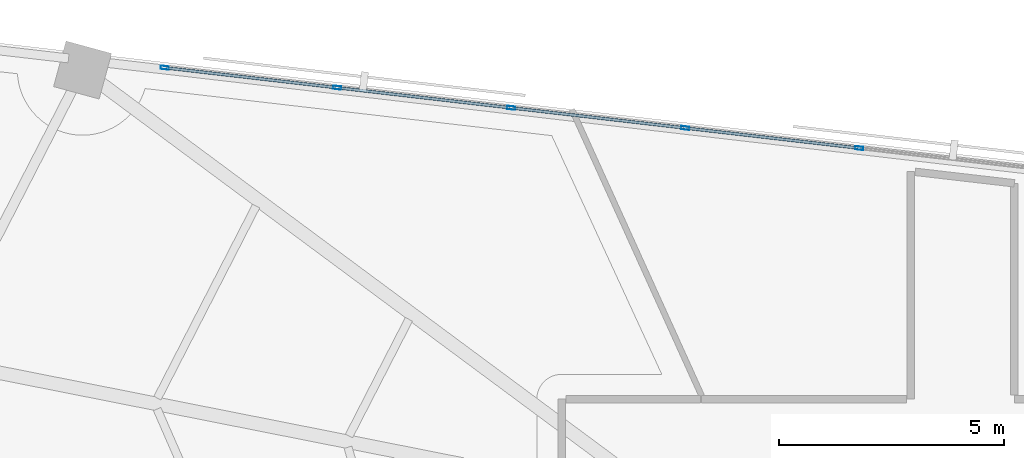
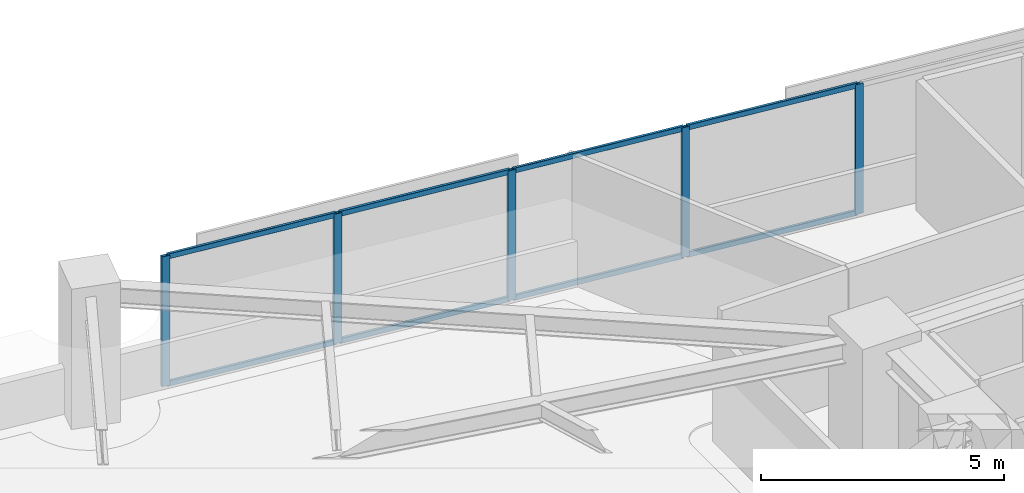
# One storey, part 7 of 13: 13 members, 1 element without a shape of its own.
"""IFC4 building model written with IfcOpenShell, lengths in metres."""

from ifc_helpers import new_model, si_unit, direction, frame, origin, origin_2d, place, context, subcontext, project, spatial, hollow_rectangle, extrude, material, material_profile, profile_set, type_object, element, aggregate, save


model = new_model("IFC4")

# Units and contexts
model_context = context("Model", 3, precision=1e-05, world=origin(), true_north=direction((0.0, 1.0)))
body_context = subcontext(model_context, "Body", "Model", "MODEL_VIEW")
ifc_project = project(units=[si_unit("LENGTHUNIT", "METRE"), si_unit("AREAUNIT", "SQUARE_METRE"), si_unit("VOLUMEUNIT", "CUBIC_METRE"), si_unit("PLANEANGLEUNIT", "RADIAN"), si_unit("MASSUNIT", "GRAM", prefix="KILO")], contexts=[model_context])

# Site, building, storey
site_placement = place(None, origin())
site = spatial("IfcSite", under=ifc_project, at=site_placement, CompositionType="ELEMENT")
building_placement = place(site_placement, origin())
building = spatial("IfcBuilding", under=site, at=building_placement, Name="Narakoshi Arena Tower", CompositionType="ELEMENT")
storey_placement = place(building_placement, frame((0.0, 0.0, 225.5400390625)))
storey = spatial("IfcBuildingStorey", under=building, at=storey_placement, Name="L61", CompositionType="ELEMENT", Elevation=225.5400390625)

# Curtain wall, members
ifc_material = material(Name="Anodised bronze aluminium 6063-T6", Category="aluminium")
curtain_wall_type = type_object("IfcCurtainWallType", Name="CW-HYP-MID", PredefinedType="NOTDEFINED", material=ifc_material)
curtain_wall_placement = place(storey_placement, origin())
curtain_wall = element("IfcCurtainWall", 1, at=curtain_wall_placement, inside=storey, type_object=curtain_wall_type, Name="L61 Folded Hypotenuse Curtain Wall 2-1", PredefinedType="NOTDEFINED")
ifc_material_profile_1 = material_profile(ifc_material, hollow_rectangle(XDim=0.074951171875, YDim=0.179931640625, WallThickness=0.00390625, OuterFilletRadius=0.0048828125, at=origin_2d()), Name="MUL180x75x4")
ifc_profile_set_1 = profile_set([ifc_material_profile_1], Name="Anodised bronze aluminium 6063-T6")
member_type_1 = type_object("IfcMemberType", Name="MEM-MUL-180", PredefinedType="MULLION", material=ifc_profile_set_1)
member_1_placement = place(storey_placement, frame((76.20068359375, 64.446533203125, 0.0), z_axis=(0.0, 0.0, 1.0), x_axis=(-0.115011296816, -0.993364183774, 0.0)))
member_1 = element("IfcMember", 2, at=member_1_placement, type_object=member_type_1, Name="CW-02 mullion 3", PredefinedType="MULLION", context=body_context, shape_type="SweptSolid", body=[
    extrude(hollow_rectangle(XDim=0.074951171875, YDim=0.179931640625, WallThickness=0.00390625, OuterFilletRadius=0.0048828125, at=origin_2d()), origin(), (0.0, 0.0, 1.0), 3.260009765625),
])
member_2_placement = place(storey_placement, frame((72.33154296875, 64.894287109375, 0.0), z_axis=(0.0, 0.0, 1.0), x_axis=(-0.115011296816, -0.993364183774, 0.0)))
member_2 = element("IfcMember", 3, at=member_2_placement, type_object=member_type_1, Name="CW-02 mullion 4", PredefinedType="MULLION", context=body_context, shape_type="SweptSolid", body=[
    extrude(hollow_rectangle(XDim=0.074951171875, YDim=0.179931640625, WallThickness=0.00390625, OuterFilletRadius=0.0048828125, at=origin_2d()), origin(), (0.0, 0.0, 1.0), 3.260009765625),
])
member_3_placement = place(storey_placement, frame((68.46240234375, 65.34228515625, 0.0), z_axis=(0.0, 0.0, 1.0), x_axis=(-0.115011296816, -0.993364183774, 0.0)))
member_3 = element("IfcMember", 4, at=member_3_placement, type_object=member_type_1, Name="CW-02 mullion 5", PredefinedType="MULLION", context=body_context, shape_type="SweptSolid", body=[
    extrude(hollow_rectangle(XDim=0.074951171875, YDim=0.179931640625, WallThickness=0.00390625, OuterFilletRadius=0.0048828125, at=origin_2d()), origin(), (0.0, 0.0, 1.0), 3.260009765625),
])
member_4_placement = place(storey_placement, frame((64.59326171875, 65.790283203125, 0.0), z_axis=(0.0, 0.0, 1.0), x_axis=(-0.115011296816, -0.993364183774, 0.0)))
member_4 = element("IfcMember", 5, at=member_4_placement, type_object=member_type_1, Name="CW-02 mullion 6", PredefinedType="MULLION", context=body_context, shape_type="SweptSolid", body=[
    extrude(hollow_rectangle(XDim=0.074951171875, YDim=0.179931640625, WallThickness=0.00390625, OuterFilletRadius=0.0048828125, at=origin_2d()), origin(), (0.0, 0.0, 1.0), 3.260009765625),
])
member_5_placement = place(storey_placement, frame((60.76123046875, 66.23388671875, 0.0), z_axis=(0.0, 0.0, 1.0), x_axis=(-0.115011296816, -0.993364183774, 0.0)))
member_5 = element("IfcMember", 6, at=member_5_placement, type_object=member_type_1, Name="CW-02 mullion 7", PredefinedType="MULLION", context=body_context, shape_type="SweptSolid", body=[
    extrude(hollow_rectangle(XDim=0.074951171875, YDim=0.179931640625, WallThickness=0.00390625, OuterFilletRadius=0.0048828125, at=origin_2d()), origin(), (0.0, 0.0, 1.0), 3.260009765625),
])
ifc_material_profile_2 = material_profile(ifc_material, hollow_rectangle(XDim=0.06494140625, YDim=0.1298828125, WallThickness=0.00390625, OuterFilletRadius=0.0048828125, at=origin_2d()), Name="TRN130x65x4")
ifc_profile_set_2 = profile_set([ifc_material_profile_2], Name="Anodised bronze aluminium 6063-T6")
member_type_2 = type_object("IfcMemberType", Name="MEM-TRN-130", PredefinedType="USERDEFINED", material=ifc_profile_set_2)
member_6_placement = place(storey_placement, frame((76.163330078125, 64.45068359375, 0.032470703125), z_axis=(-0.993360986362, 0.115038909828, 0.0), x_axis=(-0.115038909828, -0.993360986362, 0.0)))
member_6 = element("IfcMember", 7, at=member_6_placement, type_object=member_type_2, Name="CW-02 transom 3.1", ObjectType="TRANSOM", PredefinedType="USERDEFINED", context=body_context, shape_type="SweptSolid", body=[
    extrude(hollow_rectangle(XDim=0.06494140625, YDim=0.1298828125, WallThickness=0.00390625, OuterFilletRadius=0.0048828125, at=origin_2d()), origin(), (0.0, 0.0, 1.0), 3.820068359375),
])
member_7_placement = place(storey_placement, frame((76.163330078125, 64.45068359375, 3.2275390625), z_axis=(-0.993360986362, 0.115038909828, 0.0), x_axis=(-0.115038909828, -0.993360986362, 0.0)))
member_7 = element("IfcMember", 8, at=member_7_placement, type_object=member_type_2, Name="CW-02 transom 3.2", ObjectType="TRANSOM", PredefinedType="USERDEFINED", context=body_context, shape_type="SweptSolid", body=[
    extrude(hollow_rectangle(XDim=0.06494140625, YDim=0.1298828125, WallThickness=0.00390625, OuterFilletRadius=0.0048828125, at=origin_2d()), origin(), (0.0, 0.0, 1.0), 3.820068359375),
])
member_8_placement = place(storey_placement, frame((72.294189453125, 64.898681640625, 0.032470703125), z_axis=(-0.993360986362, 0.115038909828, 0.0), x_axis=(-0.115038909828, -0.993360986362, 0.0)))
member_8 = element("IfcMember", 9, at=member_8_placement, type_object=member_type_2, Name="CW-02 transom 4.1", ObjectType="TRANSOM", PredefinedType="USERDEFINED", context=body_context, shape_type="SweptSolid", body=[
    extrude(hollow_rectangle(XDim=0.06494140625, YDim=0.1298828125, WallThickness=0.00390625, OuterFilletRadius=0.0048828125, at=origin_2d()), origin(), (0.0, 0.0, 1.0), 3.820068359375),
])
member_9_placement = place(storey_placement, frame((72.294189453125, 64.898681640625, 3.2275390625), z_axis=(-0.993360986362, 0.115038909828, 0.0), x_axis=(-0.115038909828, -0.993360986362, 0.0)))
member_9 = element("IfcMember", 10, at=member_9_placement, type_object=member_type_2, Name="CW-02 transom 4.2", ObjectType="TRANSOM", PredefinedType="USERDEFINED", context=body_context, shape_type="SweptSolid", body=[
    extrude(hollow_rectangle(XDim=0.06494140625, YDim=0.1298828125, WallThickness=0.00390625, OuterFilletRadius=0.0048828125, at=origin_2d()), origin(), (0.0, 0.0, 1.0), 3.820068359375),
])
member_10_placement = place(storey_placement, frame((68.425048828125, 65.3466796875, 0.032470703125), z_axis=(-0.993360986362, 0.115038909828, 0.0), x_axis=(-0.115038909828, -0.993360986362, 0.0)))
member_10 = element("IfcMember", 11, at=member_10_placement, type_object=member_type_2, Name="CW-02 transom 5.1", ObjectType="TRANSOM", PredefinedType="USERDEFINED", context=body_context, shape_type="SweptSolid", body=[
    extrude(hollow_rectangle(XDim=0.06494140625, YDim=0.1298828125, WallThickness=0.00390625, OuterFilletRadius=0.0048828125, at=origin_2d()), origin(), (0.0, 0.0, 1.0), 3.820068359375),
])
member_11_placement = place(storey_placement, frame((68.425048828125, 65.3466796875, 3.2275390625), z_axis=(-0.993360986362, 0.115038909828, 0.0), x_axis=(-0.115038909828, -0.993360986362, 0.0)))
member_11 = element("IfcMember", 12, at=member_11_placement, type_object=member_type_2, Name="CW-02 transom 5.2", ObjectType="TRANSOM", PredefinedType="USERDEFINED", context=body_context, shape_type="SweptSolid", body=[
    extrude(hollow_rectangle(XDim=0.06494140625, YDim=0.1298828125, WallThickness=0.00390625, OuterFilletRadius=0.0048828125, at=origin_2d()), origin(), (0.0, 0.0, 1.0), 3.820068359375),
])
member_12_placement = place(storey_placement, frame((64.555908203125, 65.794677734375, 0.032470703125), z_axis=(-0.993363061903, 0.115020986115, 0.0), x_axis=(-0.115020986115, -0.993363061903, 0.0)))
member_12 = element("IfcMember", 13, at=member_12_placement, type_object=member_type_2, Name="CW-02 transom 6.1", ObjectType="TRANSOM", PredefinedType="USERDEFINED", context=body_context, shape_type="SweptSolid", body=[
    extrude(hollow_rectangle(XDim=0.06494140625, YDim=0.1298828125, WallThickness=0.00390625, OuterFilletRadius=0.0048828125, at=origin_2d()), origin(), (0.0, 0.0, 1.0), 3.782470703125),
])
member_13_placement = place(storey_placement, frame((64.555908203125, 65.794677734375, 3.2275390625), z_axis=(-0.993363061903, 0.115020986115, 0.0), x_axis=(-0.115020986115, -0.993363061903, 0.0)))
member_13 = element("IfcMember", 14, at=member_13_placement, type_object=member_type_2, Name="CW-02 transom 6.2", ObjectType="TRANSOM", PredefinedType="USERDEFINED", context=body_context, shape_type="SweptSolid", body=[
    extrude(hollow_rectangle(XDim=0.06494140625, YDim=0.1298828125, WallThickness=0.00390625, OuterFilletRadius=0.0048828125, at=origin_2d()), origin(), (0.0, 0.0, 1.0), 3.782470703125),
])
aggregate(curtain_wall, [member_1, member_2, member_3, member_4, member_5, member_6, member_7, member_8, member_9, member_10, member_11, member_12, member_13])

save(model, "model.ifc")
